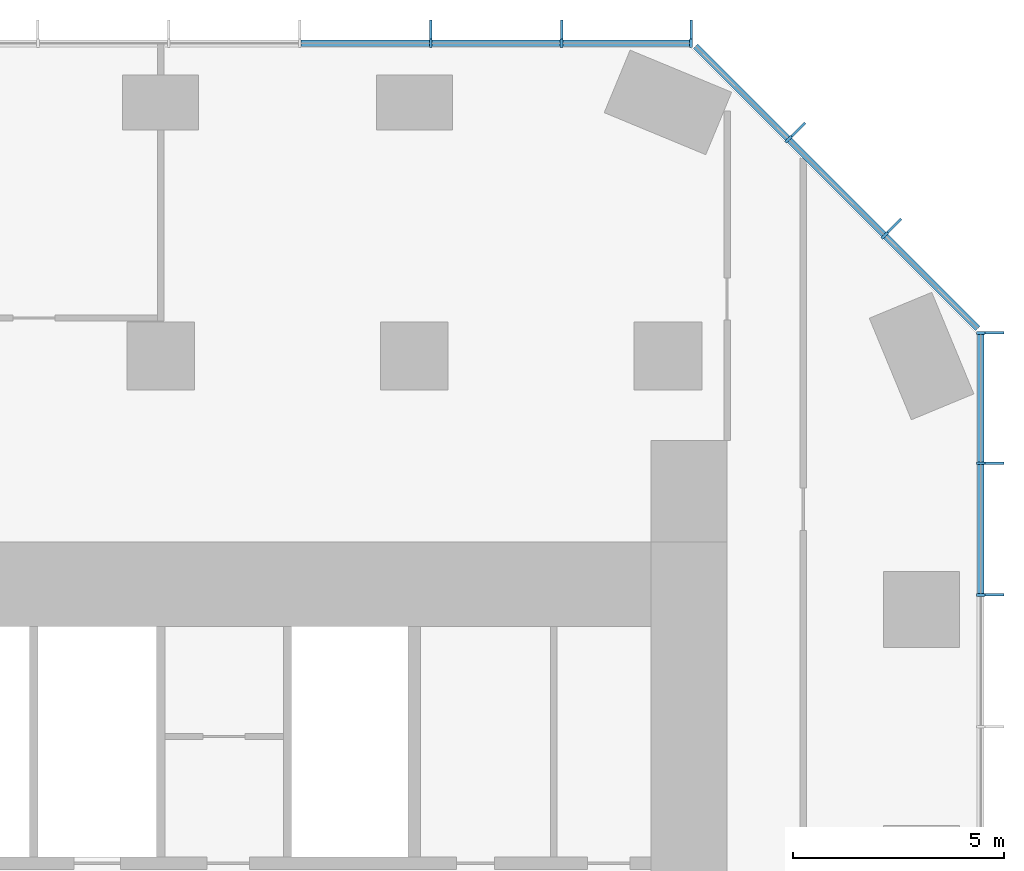
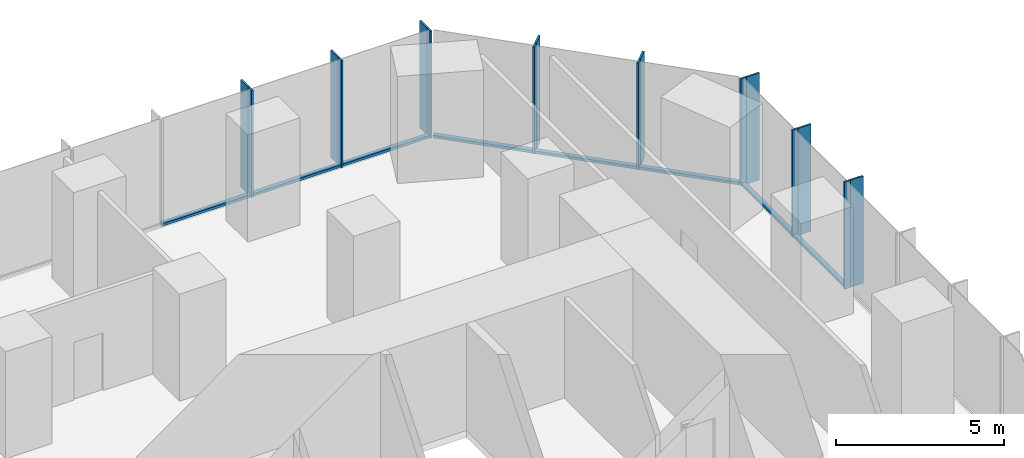
# One storey, part 6 of 11: 24 members, 3 elements without a shape of their own.
"""IFC4 building model written with IfcOpenShell, lengths in metres."""

from ifc_helpers import new_model, si_unit, direction, frame, origin, origin_2d, place, context, subcontext, project, spatial, rectangle, extrude, material, layer, layer_set, material_profile, profile_set, type_object, element, aggregate, save


model = new_model("IFC4")

# Units and contexts
model_context = context("Model", 3, precision=1e-05, world=origin(), true_north=direction((0.0, 1.0)))
body_context = subcontext(model_context, "Body", "Model", "MODEL_VIEW")
ifc_project = project(units=[si_unit("LENGTHUNIT", "METRE"), si_unit("AREAUNIT", "SQUARE_METRE"), si_unit("VOLUMEUNIT", "CUBIC_METRE"), si_unit("PLANEANGLEUNIT", "RADIAN"), si_unit("MASSUNIT", "GRAM", prefix="KILO")], contexts=[model_context])

# Site, building, storey
site_placement = place(None, origin())
site = spatial("IfcSite", under=ifc_project, at=site_placement, CompositionType="ELEMENT")
building_placement = place(site_placement, origin())
building = spatial("IfcBuilding", under=site, at=building_placement, Name="Highveld Stack Headquarters", CompositionType="ELEMENT")
storey_placement = place(building_placement, frame((0.0, 0.0, 128.89990234375)))
storey = spatial("IfcBuildingStorey", under=building, at=storey_placement, Name="L31", CompositionType="ELEMENT", Elevation=128.89990234375)

# Curtain wall, members
ifc_material_1 = material(Name="Aluminium bronze anodised", Category="aluminium")
ifc_layer_1 = layer(ifc_material_1, 0.199951171875)
ifc_layer_set_1 = layer_set([ifc_layer_1], Name="Aluminium bronze anodised")
curtain_wall_type_1 = type_object("IfcCurtainWallType", Name="CW1 TOWER UNITISED CURTAIN WALL", PredefinedType="NOTDEFINED", material=ifc_layer_set_1)
curtain_wall_1_placement = place(storey_placement, origin())
curtain_wall_1 = element("IfcCurtainWall", 1, at=curtain_wall_1_placement, inside=storey, type_object=curtain_wall_type_1, Name="Curtain wall CW1 L31 E", PredefinedType="NOTDEFINED")
ifc_material_2 = material(Name="Aluminium bronze anodised", Category="aluminium")
ifc_material_profile_1 = material_profile(ifc_material_2, rectangle(XDim=0.449951171875, YDim=0.06005859375, at=origin_2d()), Name="FIN 450x60")
ifc_profile_set_1 = profile_set([ifc_material_profile_1], Name="Aluminium bronze anodised")
member_type_1 = type_object("IfcMemberType", Name="CW1 BRONZE FIN 450x60", PredefinedType="USERDEFINED", material=ifc_profile_set_1)
member_1_placement = place(storey_placement, frame((25.72509765625, 12.347900390625, 0.0), z_axis=(0.0, 0.0, 1.0), x_axis=(-1.0, 0.0, 0.0)))
member_1 = element("IfcMember", 2, at=member_1_placement, type_object=member_type_1, Name="CW1 fin L31 9", ObjectType="FIN", PredefinedType="USERDEFINED", context=body_context, shape_type="SweptSolid", body=[
    extrude(rectangle(XDim=0.449951171875, YDim=0.06005859375, at=origin_2d()), origin(), (0.0, 0.0, 1.0), 3.900146484375),
])
member_2_placement = place(storey_placement, frame((25.72509765625, 15.4638671875, 0.0), z_axis=(0.0, 0.0, 1.0), x_axis=(-1.0, 0.0, 0.0)))
member_2 = element("IfcMember", 3, at=member_2_placement, type_object=member_type_1, Name="CW1 fin L31 10", ObjectType="FIN", PredefinedType="USERDEFINED", context=body_context, shape_type="SweptSolid", body=[
    extrude(rectangle(XDim=0.449951171875, YDim=0.06005859375, at=origin_2d()), origin(), (0.0, 0.0, 1.0), 3.900146484375),
])
member_3_placement = place(storey_placement, frame((25.72509765625, 18.54736328125, 0.0), z_axis=(0.0, 0.0, 1.0), x_axis=(-1.0, 0.0, 0.0)))
member_3 = element("IfcMember", 4, at=member_3_placement, type_object=member_type_1, Name="CW1 fin L31 11", ObjectType="FIN", PredefinedType="USERDEFINED", context=body_context, shape_type="SweptSolid", body=[
    extrude(rectangle(XDim=0.449951171875, YDim=0.06005859375, at=origin_2d()), origin(), (0.0, 0.0, 1.0), 3.900146484375),
])

curtain_wall_2_placement = place(storey_placement, origin())
curtain_wall_2 = element("IfcCurtainWall", 5, at=curtain_wall_2_placement, inside=storey, type_object=curtain_wall_type_1, Name="Curtain wall CW1 L31 N", PredefinedType="NOTDEFINED")
member_4_placement = place(storey_placement, frame((18.54736328125, 25.72509765625, 0.0), z_axis=(0.0, 0.0, 1.0), x_axis=(0.0, -1.0, 0.0)))
member_4 = element("IfcMember", 6, at=member_4_placement, type_object=member_type_1, Name="CW1 fin L31 1", ObjectType="FIN", PredefinedType="USERDEFINED", context=body_context, shape_type="SweptSolid", body=[
    extrude(rectangle(XDim=0.449951171875, YDim=0.06005859375, at=origin_2d()), origin(), (0.0, 0.0, 1.0), 3.900146484375),
])
member_5_placement = place(storey_placement, frame((15.483154296875, 25.72509765625, 0.0), z_axis=(0.0, 0.0, 1.0), x_axis=(0.0, -1.0, 0.0)))
member_5 = element("IfcMember", 7, at=member_5_placement, type_object=member_type_1, Name="CW1 fin L31 2", ObjectType="FIN", PredefinedType="USERDEFINED", context=body_context, shape_type="SweptSolid", body=[
    extrude(rectangle(XDim=0.449951171875, YDim=0.06005859375, at=origin_2d()), origin(), (0.0, 0.0, 1.0), 3.900146484375),
])
member_6_placement = place(storey_placement, frame((12.38671875, 25.72509765625, 0.0), z_axis=(0.0, 0.0, 1.0), x_axis=(0.0, -1.0, 0.0)))
member_6 = element("IfcMember", 8, at=member_6_placement, type_object=member_type_1, Name="CW1 fin L31 3", ObjectType="FIN", PredefinedType="USERDEFINED", context=body_context, shape_type="SweptSolid", body=[
    extrude(rectangle(XDim=0.449951171875, YDim=0.06005859375, at=origin_2d()), origin(), (0.0, 0.0, 1.0), 3.900146484375),
])

# Member
ifc_material_3 = material(Name="Aluminium bronze anodised", Category="aluminium")
ifc_material_profile_2 = material_profile(ifc_material_3, rectangle(XDim=0.199951171875, YDim=0.06494140625, at=origin_2d()), Name="CW1 MULLION 65x200")
ifc_profile_set_2 = profile_set([ifc_material_profile_2], Name="Aluminium bronze anodised")
member_type_2 = type_object("IfcMemberType", Name="CW1 MULLION 65x200", PredefinedType="MULLION", material=ifc_profile_set_2)
member_7_placement = place(storey_placement, frame((25.39990234375, 12.347900390625, 0.0), z_axis=(0.0, 0.0, 1.0), x_axis=(-1.0, 0.0, 0.0)))
member_7 = element("IfcMember", 9, at=member_7_placement, type_object=member_type_2, Name="CW1 mullion L31 9", PredefinedType="MULLION", context=body_context, shape_type="SweptSolid", body=[
    extrude(rectangle(XDim=0.199951171875, YDim=0.06494140625, at=origin_2d()), origin(), (0.0, 0.0, 1.0), 3.900146484375),
])

member_8_placement = place(storey_placement, frame((25.39990234375, 15.4638671875, 0.0), z_axis=(0.0, 0.0, 1.0), x_axis=(-1.0, 0.0, 0.0)))
member_8 = element("IfcMember", 10, at=member_8_placement, type_object=member_type_2, Name="CW1 mullion L31 10", PredefinedType="MULLION", context=body_context, shape_type="SweptSolid", body=[
    extrude(rectangle(XDim=0.199951171875, YDim=0.06494140625, at=origin_2d()), origin(), (0.0, 0.0, 1.0), 3.900146484375),
])

member_9_placement = place(storey_placement, frame((25.39990234375, 18.54736328125, 0.0), z_axis=(0.0, 0.0, 1.0), x_axis=(-1.0, 0.0, 0.0)))
member_9 = element("IfcMember", 11, at=member_9_placement, type_object=member_type_2, Name="CW1 mullion L31 11", PredefinedType="MULLION", context=body_context, shape_type="SweptSolid", body=[
    extrude(rectangle(XDim=0.199951171875, YDim=0.06494140625, at=origin_2d()), origin(), (0.0, 0.0, 1.0), 3.900146484375),
])

member_10_placement = place(storey_placement, frame((18.54736328125, 25.39990234375, 0.0), z_axis=(0.0, 0.0, 1.0), x_axis=(0.0, -1.0, 0.0)))
member_10 = element("IfcMember", 12, at=member_10_placement, type_object=member_type_2, Name="CW1 mullion L31 1", PredefinedType="MULLION", context=body_context, shape_type="SweptSolid", body=[
    extrude(rectangle(XDim=0.199951171875, YDim=0.06494140625, at=origin_2d()), origin(), (0.0, 0.0, 1.0), 3.900146484375),
])

member_11_placement = place(storey_placement, frame((15.483154296875, 25.39990234375, 0.0), z_axis=(0.0, 0.0, 1.0), x_axis=(0.0, -1.0, 0.0)))
member_11 = element("IfcMember", 13, at=member_11_placement, type_object=member_type_2, Name="CW1 mullion L31 2", PredefinedType="MULLION", context=body_context, shape_type="SweptSolid", body=[
    extrude(rectangle(XDim=0.199951171875, YDim=0.06494140625, at=origin_2d()), origin(), (0.0, 0.0, 1.0), 3.900146484375),
])

member_12_placement = place(storey_placement, frame((12.38671875, 25.39990234375, 0.0), z_axis=(0.0, 0.0, 1.0), x_axis=(0.0, -1.0, 0.0)))
member_12 = element("IfcMember", 14, at=member_12_placement, type_object=member_type_2, Name="CW1 mullion L31 3", PredefinedType="MULLION", context=body_context, shape_type="SweptSolid", body=[
    extrude(rectangle(XDim=0.199951171875, YDim=0.06494140625, at=origin_2d()), origin(), (0.0, 0.0, 1.0), 3.900146484375),
])

ifc_material_4 = material(Name="Aluminium bronze anodised", Category="aluminium")
ifc_material_profile_3 = material_profile(ifc_material_4, rectangle(XDim=0.14990234375, YDim=0.10009765625, at=origin_2d()), Name="CW1 TRANSOM 150x100")
ifc_profile_set_3 = profile_set([ifc_material_profile_3], Name="Aluminium bronze anodised")
member_type_3 = type_object("IfcMemberType", Name="CW1 STACK TRANSOM 150x100", PredefinedType="USERDEFINED", material=ifc_profile_set_3)
member_13_placement = place(storey_placement, frame((25.39990234375, 12.38037109375, 0.050048828125), z_axis=(0.0, 1.0, 0.0), x_axis=(-1.0, 0.0, 0.0)))
member_13 = element("IfcMember", 15, at=member_13_placement, type_object=member_type_3, Name="CW1 transom L31 9.1", ObjectType="TRANSOM", PredefinedType="USERDEFINED", context=body_context, shape_type="SweptSolid", body=[
    extrude(rectangle(XDim=0.14990234375, YDim=0.10009765625, at=origin_2d()), origin(), (0.0, 0.0, 1.0), 3.051025390625),
])

member_14_placement = place(storey_placement, frame((25.39990234375, 15.496337890625, 0.050048828125), z_axis=(0.0, 1.0, 0.0), x_axis=(-1.0, 0.0, 0.0)))
member_14 = element("IfcMember", 16, at=member_14_placement, type_object=member_type_3, Name="CW1 transom L31 10.1", ObjectType="TRANSOM", PredefinedType="USERDEFINED", context=body_context, shape_type="SweptSolid", body=[
    extrude(rectangle(XDim=0.14990234375, YDim=0.10009765625, at=origin_2d()), origin(), (0.0, 0.0, 1.0), 3.0185546875),
])

aggregate(curtain_wall_1, [member_7, member_1, member_8, member_2, member_9, member_3, member_13, member_14])

member_15_placement = place(storey_placement, frame((18.514892578125, 25.39990234375, 0.050048828125), z_axis=(-1.0, 0.0, 0.0), x_axis=(0.0, -1.0, 0.0)))
member_15 = element("IfcMember", 17, at=member_15_placement, type_object=member_type_3, Name="CW1 transom L31 1.1", ObjectType="TRANSOM", PredefinedType="USERDEFINED", context=body_context, shape_type="SweptSolid", body=[
    extrude(rectangle(XDim=0.14990234375, YDim=0.10009765625, at=origin_2d()), origin(), (0.0, 0.0, 1.0), 2.999267578125),
])

member_16_placement = place(storey_placement, frame((15.45068359375, 25.39990234375, 0.050048828125), z_axis=(-1.0, 0.0, 0.0), x_axis=(0.0, -1.0, 0.0)))
member_16 = element("IfcMember", 18, at=member_16_placement, type_object=member_type_3, Name="CW1 transom L31 2.1", ObjectType="TRANSOM", PredefinedType="USERDEFINED", context=body_context, shape_type="SweptSolid", body=[
    extrude(rectangle(XDim=0.14990234375, YDim=0.10009765625, at=origin_2d()), origin(), (0.0, 0.0, 1.0), 3.031494140625),
])

member_17_placement = place(storey_placement, frame((12.35400390625, 25.39990234375, 0.050048828125), z_axis=(-1.0, 0.0, 0.0), x_axis=(0.0, -1.0, 0.0)))
member_17 = element("IfcMember", 19, at=member_17_placement, type_object=member_type_3, Name="CW1 transom L31 3.1", ObjectType="TRANSOM", PredefinedType="USERDEFINED", context=body_context, shape_type="SweptSolid", body=[
    extrude(rectangle(XDim=0.14990234375, YDim=0.10009765625, at=origin_2d()), origin(), (0.0, 0.0, 1.0), 3.031494140625),
])

aggregate(curtain_wall_2, [member_10, member_4, member_11, member_5, member_12, member_6, member_15, member_16, member_17])

# Curtain wall, members
ifc_material_5 = material(Name="Aluminium bronze anodised", Category="aluminium")
ifc_layer_2 = layer(ifc_material_5, 0.199951171875)
ifc_layer_set_2 = layer_set([ifc_layer_2], Name="Aluminium bronze anodised")
curtain_wall_type_2 = type_object("IfcCurtainWallType", Name="CW2 TOWER CHAMFER UNITISED CURTAIN WALL", PredefinedType="NOTDEFINED", material=ifc_layer_set_2)
curtain_wall_3_placement = place(storey_placement, origin())
curtain_wall_3 = element("IfcCurtainWall", 20, at=curtain_wall_3_placement, inside=storey, type_object=curtain_wall_type_2, Name="Curtain wall CW2 L31 NE", PredefinedType="NOTDEFINED")
ifc_material_6 = material(Name="Aluminium bronze anodised", Category="aluminium")
ifc_material_profile_4 = material_profile(ifc_material_6, rectangle(XDim=0.449951171875, YDim=0.06005859375, at=origin_2d()), Name="FIN 450x60")
ifc_profile_set_4 = profile_set([ifc_material_profile_4], Name="Aluminium bronze anodised")
member_type_4 = type_object("IfcMemberType", Name="CW2 BRONZE FIN 450x60", PredefinedType="USERDEFINED", material=ifc_profile_set_4)
member_18_placement = place(storey_placement, frame((23.3564453125, 21.0830078125, 0.0), z_axis=(0.0, 0.0, 1.0), x_axis=(-0.707106781187, -0.707106781187, 0.0)))
member_18 = element("IfcMember", 21, at=member_18_placement, type_object=member_type_4, Name="CW2 fin L31 1", ObjectType="FIN", PredefinedType="USERDEFINED", context=body_context, shape_type="SweptSolid", body=[
    extrude(rectangle(XDim=0.449951171875, YDim=0.06005859375, at=origin_2d()), origin(), (0.0, 0.0, 1.0), 3.900146484375),
])
member_19_placement = place(storey_placement, frame((21.0830078125, 23.3564453125, 0.0), z_axis=(0.0, 0.0, 1.0), x_axis=(-0.707106781187, -0.707106781187, 0.0)))
member_19 = element("IfcMember", 22, at=member_19_placement, type_object=member_type_4, Name="CW2 fin L31 2", ObjectType="FIN", PredefinedType="USERDEFINED", context=body_context, shape_type="SweptSolid", body=[
    extrude(rectangle(XDim=0.449951171875, YDim=0.06005859375, at=origin_2d()), origin(), (0.0, 0.0, 1.0), 3.900146484375),
])
ifc_material_7 = material(Name="Aluminium bronze anodised", Category="aluminium")
ifc_material_profile_5 = material_profile(ifc_material_7, rectangle(XDim=0.199951171875, YDim=0.06494140625, at=origin_2d()), Name="CW2 MULLION 65x200")
ifc_profile_set_5 = profile_set([ifc_material_profile_5], Name="Aluminium bronze anodised")
member_type_5 = type_object("IfcMemberType", Name="CW2 MULLION 65x200", PredefinedType="MULLION", material=ifc_profile_set_5)
member_20_placement = place(storey_placement, frame((23.126708984375, 20.853271484375, 0.0), z_axis=(0.0, 0.0, 1.0), x_axis=(-0.707106781187, -0.707106781187, 0.0)))
member_20 = element("IfcMember", 23, at=member_20_placement, type_object=member_type_5, Name="CW2 mullion L31 1", PredefinedType="MULLION", context=body_context, shape_type="SweptSolid", body=[
    extrude(rectangle(XDim=0.199951171875, YDim=0.06494140625, at=origin_2d()), origin(), (0.0, 0.0, 1.0), 3.900146484375),
])
member_21_placement = place(storey_placement, frame((20.853271484375, 23.126708984375, 0.0), z_axis=(0.0, 0.0, 1.0), x_axis=(-0.707106781187, -0.707106781187, 0.0)))
member_21 = element("IfcMember", 24, at=member_21_placement, type_object=member_type_5, Name="CW2 mullion L31 2", PredefinedType="MULLION", context=body_context, shape_type="SweptSolid", body=[
    extrude(rectangle(XDim=0.199951171875, YDim=0.06494140625, at=origin_2d()), origin(), (0.0, 0.0, 1.0), 3.900146484375),
])
ifc_material_8 = material(Name="Aluminium bronze anodised", Category="aluminium")
ifc_material_profile_6 = material_profile(ifc_material_8, rectangle(XDim=0.14990234375, YDim=0.10009765625, at=origin_2d()), Name="CW2 TRANSOM 150x100")
ifc_profile_set_6 = profile_set([ifc_material_profile_6], Name="Aluminium bronze anodised")
member_type_6 = type_object("IfcMemberType", Name="CW2 STACK TRANSOM 150x100", PredefinedType="USERDEFINED", material=ifc_profile_set_6)
member_22_placement = place(storey_placement, frame((25.329345703125, 18.650634765625, 0.050048828125), z_axis=(-0.707106781187, 0.707106781187, 0.0), x_axis=(-0.707106781187, -0.707106781187, 0.0)))
member_22 = element("IfcMember", 25, at=member_22_placement, type_object=member_type_6, Name="CW2 transom L31 1.1", ObjectType="TRANSOM", PredefinedType="USERDEFINED", context=body_context, shape_type="SweptSolid", body=[
    extrude(rectangle(XDim=0.14990234375, YDim=0.10009765625, at=origin_2d()), origin(), (0.0, 0.0, 1.0), 3.08251953125),
])
member_23_placement = place(storey_placement, frame((23.103759765625, 20.876220703125, 0.050048828125), z_axis=(-0.707106781187, 0.707106781187, 0.0), x_axis=(-0.707106781187, -0.707106781187, 0.0)))
member_23 = element("IfcMember", 26, at=member_23_placement, type_object=member_type_6, Name="CW2 transom L31 2.1", ObjectType="TRANSOM", PredefinedType="USERDEFINED", context=body_context, shape_type="SweptSolid", body=[
    extrude(rectangle(XDim=0.14990234375, YDim=0.10009765625, at=origin_2d()), origin(), (0.0, 0.0, 1.0), 3.150146484375),
])
member_24_placement = place(storey_placement, frame((20.830322265625, 23.149658203125, 0.050048828125), z_axis=(-0.707106781187, 0.707106781187, 0.0), x_axis=(-0.707106781187, -0.707106781187, 0.0)))
member_24 = element("IfcMember", 27, at=member_24_placement, type_object=member_type_6, Name="CW2 transom L31 3.1", ObjectType="TRANSOM", PredefinedType="USERDEFINED", context=body_context, shape_type="SweptSolid", body=[
    extrude(rectangle(XDim=0.14990234375, YDim=0.10009765625, at=origin_2d()), origin(), (0.0, 0.0, 1.0), 3.08251953125),
])
aggregate(curtain_wall_3, [member_20, member_18, member_21, member_19, member_22, member_23, member_24])

save(model, "model.ifc")
